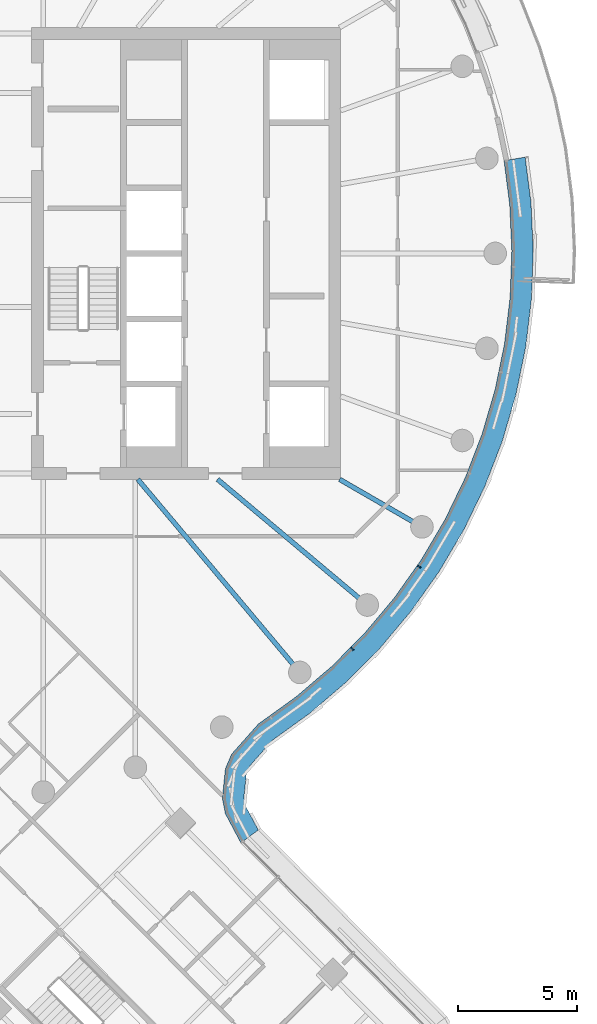
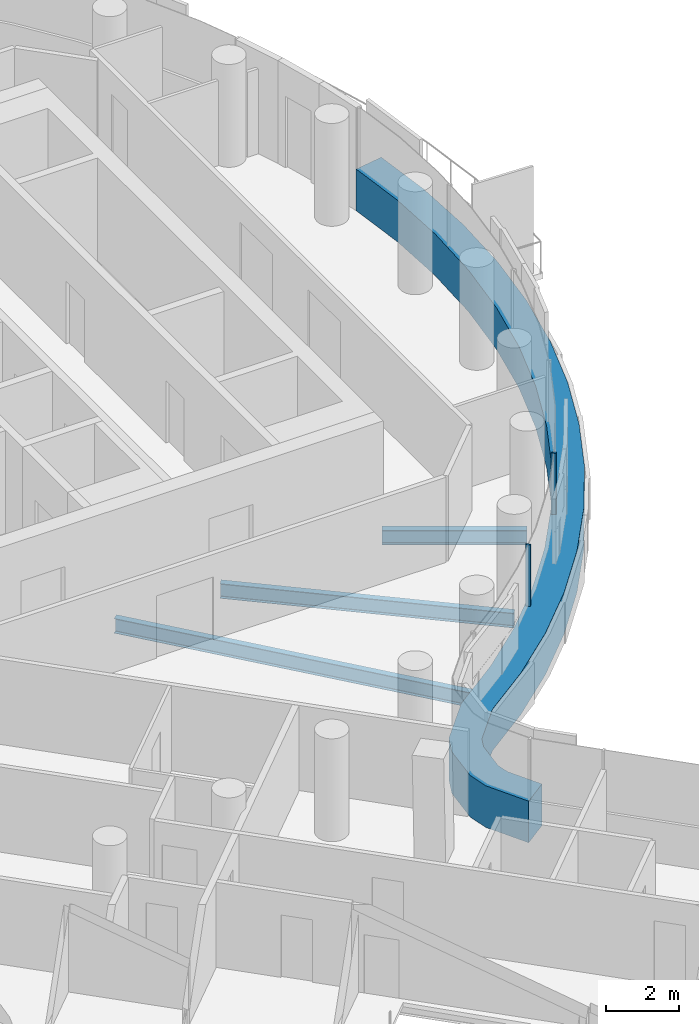
# One storey, part 7 of 31: 3 beams, 3 members, 1 element without a shape of its own.
"""IFC4 building model written with IfcOpenShell, lengths in metres."""

from ifc_helpers import new_model, si_unit, direction, frame, origin, origin_2d, place, context, subcontext, project, spatial, polyline, rectangle, i_section, outline, extrude, material, layer, layer_set, material_profile, profile_set, type_object, element, aggregate, save


model = new_model("IFC4")

# Units and contexts
model_context = context("Model", 3, precision=1e-05, world=origin(), true_north=direction((0.0, 1.0)))
body_context = subcontext(model_context, "Body", "Model", "MODEL_VIEW")
ifc_project = project(units=[si_unit("LENGTHUNIT", "METRE"), si_unit("AREAUNIT", "SQUARE_METRE"), si_unit("VOLUMEUNIT", "CUBIC_METRE"), si_unit("PLANEANGLEUNIT", "RADIAN"), si_unit("MASSUNIT", "GRAM", prefix="KILO")], contexts=[model_context])

# Site, building, storey
site_placement = place(None, origin())
site = spatial("IfcSite", under=ifc_project, at=site_placement, CompositionType="ELEMENT")
building_placement = place(site_placement, origin())
building = spatial("IfcBuilding", under=site, at=building_placement, Name="Tamarind Cross Interchange Tower", CompositionType="ELEMENT")
storey_placement = place(building_placement, frame((0.0, 0.0, 196.89990234375)))
storey = spatial("IfcBuildingStorey", under=building, at=storey_placement, Name="L49", CompositionType="ELEMENT", Elevation=196.89990234375)

# Beams
ifc_material_1 = material(Name="Steel Q355B", Category="steel")
ifc_material_profile_1 = material_profile(ifc_material_1, i_section(OverallWidth=0.198974609375, OverallDepth=0.49609375, WebThickness=0.009033203125, FlangeThickness=0.013916015625, FilletRadius=0.012939453125, at=origin_2d()), Name="HN 496x199x9x14")
ifc_profile_set_1 = profile_set([ifc_material_profile_1], Name="Steel Q355B")
beam_type = type_object("IfcBeamType", Name="Composite beam HN 496x199x9x14 Q355B", PredefinedType="BEAM", material=ifc_profile_set_1)
beam_1_placement = place(storey_placement, frame((14.7841796875, -17.619140625, -0.387939453125), z_axis=(-0.642786293979, 0.766045547127, 0.0), x_axis=(-0.766045547127, -0.642786293979, 0.0)))
element("IfcBeam", 1, at=beam_1_placement, inside=storey, type_object=beam_type, Name="Beam HH31", PredefinedType="BEAM", context=body_context, shape_type="SweptSolid", body=[
    extrude(i_section(OverallWidth=0.198974609375, OverallDepth=0.49609375, WebThickness=0.009033203125, FlangeThickness=0.013916015625, FilletRadius=0.012939453125, at=origin_2d()), origin(), (0.0, 0.0, 1.0), 10.598876953125),
])
beam_2_placement = place(storey_placement, frame((17.619140625, -14.7841796875, -0.387939453125), z_axis=(-0.766040580814, 0.642792212574, 0.0), x_axis=(-0.642792212574, -0.766040580814, 0.0)))
element("IfcBeam", 2, at=beam_2_placement, inside=storey, type_object=beam_type, Name="Beam HH32", PredefinedType="BEAM", context=body_context, shape_type="SweptSolid", body=[
    extrude(i_section(OverallWidth=0.198974609375, OverallDepth=0.49609375, WebThickness=0.009033203125, FlangeThickness=0.013916015625, FilletRadius=0.012939453125, at=origin_2d()), origin(), (0.0, 0.0, 1.0), 8.220703125),
])
beam_3_placement = place(storey_placement, frame((19.918701171875, -11.5, -0.387939453125), z_axis=(-0.866026010844, 0.49999894854, 0.0), x_axis=(-0.49999894854, -0.866026010844, 0.0)))
element("IfcBeam", 3, at=beam_3_placement, inside=storey, type_object=beam_type, Name="Beam HH33", PredefinedType="BEAM", context=body_context, shape_type="SweptSolid", body=[
    extrude(i_section(OverallWidth=0.198974609375, OverallDepth=0.49609375, WebThickness=0.009033203125, FlangeThickness=0.013916015625, FilletRadius=0.012939453125, at=origin_2d()), origin(), (0.0, 0.0, 1.0), 4.0),
])

# Curtain wall, members
ifc_material_2 = material(Name="Aluminium 6063-T6", Category="aluminium")
ifc_layer = layer(ifc_material_2, 0.139892578125)
ifc_layer_set = layer_set([ifc_layer], Name="Aluminium 6063-T6")
curtain_wall_type = type_object("IfcCurtainWallType", Name="Hotel curtain wall, 4.5 m bays", PredefinedType="NOTDEFINED", material=ifc_layer_set)
curtain_wall_placement = place(storey_placement, origin())
curtain_wall = element("IfcCurtainWall", 4, at=curtain_wall_placement, inside=storey, type_object=curtain_wall_type, Name="CWS-L49-02", PredefinedType="NOTDEFINED")
ifc_material_3 = material(Name="Aluminium and insulated spandrel panel", Category="aluminium")
member_type_1 = type_object("IfcMemberType", Name="Floor-edge blade transom", PredefinedType="USERDEFINED", material=ifc_material_3)
member_1_placement = place(storey_placement, origin())
member_1 = element("IfcMember", 5, at=member_1_placement, type_object=member_type_1, Name="CWT-L49-02-0", ObjectType="TRANSOM", PredefinedType="USERDEFINED", context=body_context, shape_type="SweptSolid", body=[
    extrude(outline(polyline([(12.302734375, -24.785400390625), (11.649658203125, -23.55517578125), (11.523681640625, -22.907470703125), (11.652587890625, -21.6708984375), (11.911376953125, -21.058837890625), (13.03759765625, -19.787353515625), (14.634521484375, -18.636474609375), (16.12353515625, -17.3642578125), (17.50244140625, -15.973388671875), (18.76171875, -14.4736328125), (19.892822265625, -12.874755859375), (20.88818359375, -11.188232421875), (21.74072265625, -9.425048828125), (22.444580078125, -7.597412109375), (22.995361328125, -5.718017578125), (23.38916015625, -3.799560546875), (23.623046875, -1.855224609375), (23.695556640625, 0.10205078125), (23.606201171875, 2.058349609375), (23.368408203125, 3.89990234375), (24.2568359375, 4.04833984375), (24.50341796875, 2.13671875), (24.59619140625, 0.10595703125), (24.52099609375, -1.925537109375), (24.2783203125, -3.944091796875), (23.86962890625, -5.935302734375), (23.2978515625, -7.88623046875), (22.567138671875, -9.783203125), (21.68212890625, -11.613525390625), (20.64892578125, -13.3642578125), (19.474853515625, -15.023681640625), (18.167724609375, -16.580810546875), (16.736572265625, -18.0244140625), (15.19091796875, -19.344970703125), (13.64501953125, -20.458984375), (12.682861328125, -21.545166015625), (12.533935546875, -21.897705078125), (12.4326171875, -22.867431640625), (12.50732421875, -23.251708984375), (13.035400390625, -24.246337890625), (12.302734375, -24.785400390625)])), origin(), (0.0, 0.0, 1.0), 1.400146484375),
])
ifc_material_profile_2 = material_profile(ifc_material_2, rectangle(XDim=0.06005859375, YDim=0.139892578125, at=origin_2d()), Name="Mullion CW2")
ifc_profile_set_2 = profile_set([ifc_material_profile_2], Name="Aluminium 6063-T6")
member_type_2 = type_object("IfcMemberType", Name="Mullion CW2", PredefinedType="MULLION", material=ifc_profile_set_2)
member_2_placement = place(storey_placement, frame((16.989990234375, -16.63232421875, 1.400146484375), z_axis=(0.0, 0.0, 1.0), x_axis=(0.704057148523, 0.710143317658, 0.0)))
member_2 = element("IfcMember", 6, at=member_2_placement, type_object=member_type_2, Name="CWM-L49-02-02", PredefinedType="MULLION", context=body_context, shape_type="SweptSolid", body=[
    extrude(rectangle(XDim=0.06005859375, YDim=0.139892578125, at=origin_2d()), origin(), (0.0, 0.0, 1.0), 2.06005859375),
])
member_3_placement = place(storey_placement, frame((19.80419921875, -13.17333984375, 1.400146484375), z_axis=(0.0, 0.0, 1.0), x_axis=(0.577568978284, 0.816341886298, 0.0)))
member_3 = element("IfcMember", 7, at=member_3_placement, type_object=member_type_2, Name="CWM-L49-02-03", PredefinedType="MULLION", context=body_context, shape_type="SweptSolid", body=[
    extrude(rectangle(XDim=0.06005859375, YDim=0.139892578125, at=origin_2d()), origin(), (0.0, 0.0, 1.0), 2.06005859375),
])
aggregate(curtain_wall, [member_2, member_3, member_1])

save(model, "model.ifc")
